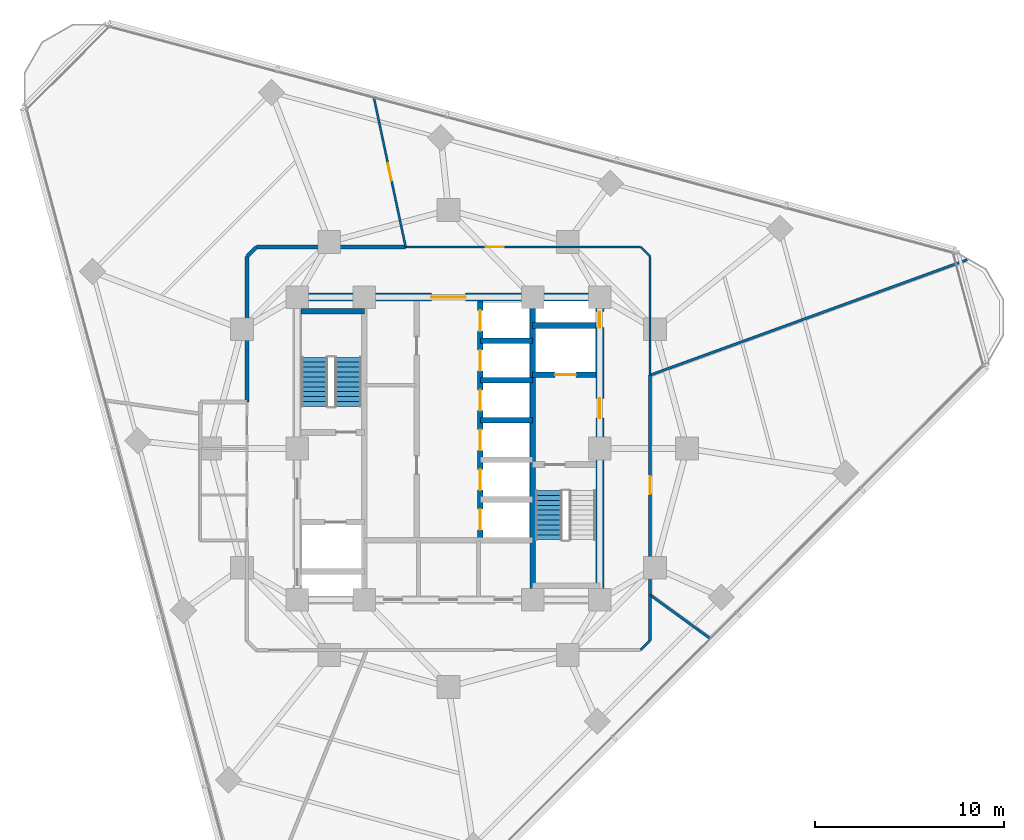
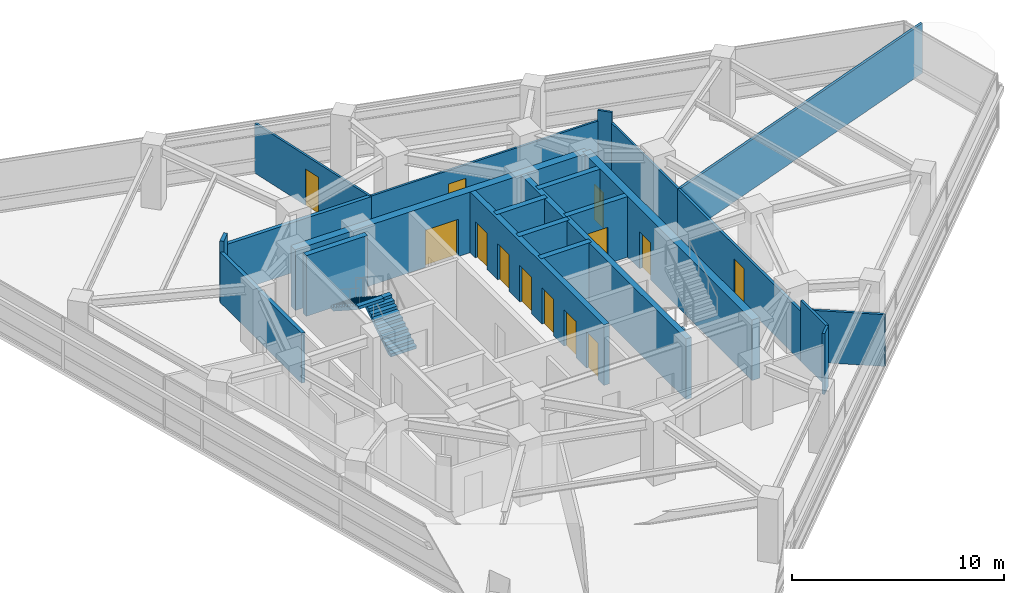
# One storey, part 8 of 13: 22 walls, 13 doors, 3 stair flights, 13 openings, 2 elements without a shape of their own.
"""IFC4 building model written with IfcOpenShell, lengths in metres."""

from ifc_helpers import new_model, si_unit, direction, frame, frame_2d, origin, place, context, subcontext, project, spatial, polyline, rectangle, outline, extrude, material, layer, layer_set, type_object, element, fill, aggregate, save


model = new_model("IFC4")

# Units and contexts
model_context = context("Model", 3, precision=1e-05, world=origin(), true_north=direction((0.0, 1.0)))
body_context = subcontext(model_context, "Body", "Model", "MODEL_VIEW")
ifc_project = project(units=[si_unit("LENGTHUNIT", "METRE"), si_unit("AREAUNIT", "SQUARE_METRE"), si_unit("VOLUMEUNIT", "CUBIC_METRE"), si_unit("PLANEANGLEUNIT", "RADIAN"), si_unit("MASSUNIT", "GRAM", prefix="KILO")], contexts=[model_context])

# Site, building, storey
site_placement = place(None, origin())
site = spatial("IfcSite", under=ifc_project, at=site_placement, CompositionType="ELEMENT")
building_placement = place(site_placement, origin())
building = spatial("IfcBuilding", under=site, at=building_placement, Name="Terralouvre Media Tower", CompositionType="ELEMENT")
storey_placement = place(building_placement, frame((0.0, 0.0, 202.699951171875)))
storey = spatial("IfcBuildingStorey", under=building, at=storey_placement, Name="L52", CompositionType="ELEMENT", Elevation=202.699951171875)

# Walls
ifc_material_1 = material(Name="Concrete C50/60", Category="concrete")
ifc_layer_1 = layer(ifc_material_1, 0.300048828125, Name="Core Internal Shaft Wall CW-300")
ifc_layer_set_1 = layer_set([ifc_layer_1], Name="Concrete C50/60")
wall_type_1 = type_object("IfcWallType", Name="Core Internal Shaft Wall CW-300", PredefinedType="SHEAR", material=ifc_layer_set_1)
wall_1_placement = place(storey_placement, frame((4.449951171875, -7.7900390625, 0.0), z_axis=(0.0, 0.0, 1.0), x_axis=(0.0, 1.0, 0.0)))
element("IfcWall", 1, at=wall_1_placement, inside=storey, type_object=wall_type_1, Name="L52 Core Shaft Wall SPE", PredefinedType="SHEAR", context=body_context, shape_type="SweptSolid", body=[
    extrude(rectangle(XDim=15.580078125, YDim=0.300048828125, at=frame_2d((7.7900390625, 0.0))), origin(), (0.0, 0.0, 1.0), 3.5),
])
wall_2_placement = place(storey_placement, frame((-7.7900390625, 7.260009765625, 0.0), z_axis=(0.0, 0.0, 1.0), x_axis=(1.0, 0.0, 0.0)))
element("IfcWall", 2, at=wall_2_placement, inside=storey, type_object=wall_type_1, Name="L52 Core Shaft Wall ST1F", PredefinedType="SHEAR", context=body_context, shape_type="SweptSolid", body=[
    extrude(rectangle(XDim=3.340087890625, YDim=0.300048828125, at=frame_2d((1.669921875, 0.0))), origin(), (0.0, 0.0, 1.0), 3.5),
])

# Wall, opening, door
wall_3_placement = place(storey_placement, frame((4.449951171875, 3.89990234375, 0.0), z_axis=(0.0, 0.0, 1.0), x_axis=(1.0, 0.0, 0.0)))
wall_3 = element("IfcWall", 3, at=wall_3_placement, inside=storey, type_object=wall_type_1, Name="L52 Core Shaft Wall FF2S", PredefinedType="SHEAR", context=body_context, shape_type="SweptSolid", body=[
    extrude(rectangle(XDim=3.340087890625, YDim=0.300048828125, at=frame_2d((1.669921875, 0.0))), origin(), (0.0, 0.0, 1.0), 3.5),
])
opening_1_placement = place(wall_3_placement, frame((1.179931640625, 0.0, 0.0)))
opening_1 = element("IfcOpeningElement", 4, at=opening_1_placement, cuts=wall_3, Name="Opening LD-FF", PredefinedType="OPENING", context=body_context, shape_type="SweptSolid", body=[
    extrude(rectangle(XDim=1.10009765625, YDim=2.10009765625, at=frame_2d((0.550048828125, 1.050048828125))), frame((0.0, 0.159912109375, 0.0), z_axis=(0.0, -1.0, 0.0), x_axis=(1.0, 0.0, 0.0)), (0.0, 0.0, 1.0), 0.320068359375),
])
ifc_material_2 = material(Name="Stainless steel 316 handrail and balustrade", Category="steel")
door_type_1 = type_object("IfcDoorType", Name="Firefighting Lift Sliding Landing Door LD-FF", OperationType="SLIDING_TO_LEFT", PredefinedType="DOOR", material=ifc_material_2)
door_1_placement = place(opening_1_placement, origin())
door_1 = element("IfcDoor", 5, at=door_1_placement, inside=storey, type_object=door_type_1, Name="L52 Firefighting Lift FFL-02 Landing Door", OperationType="SLIDING_TO_LEFT", OverallHeight=2.10009765625, OverallWidth=1.10009765625, PredefinedType="DOOR", context=body_context, shape_type="SweptSolid", body=[
    extrude(rectangle(XDim=1.10009765625, YDim=2.10009765625, at=frame_2d((0.550048828125, 1.050048828125))), frame((0.0, 0.02490234375, 0.0), z_axis=(0.0, -1.0, 0.0), x_axis=(1.0, 0.0, 0.0)), (0.0, 0.0, 1.0), 0.050048828125),
])
fill(opening_1, door_1)

# Wall
wall_4_placement = place(storey_placement, frame((4.449951171875, 6.5, 0.0), z_axis=(0.0, 0.0, 1.0), x_axis=(1.0, 0.0, 0.0)))
element("IfcWall", 6, at=wall_4_placement, inside=storey, type_object=wall_type_1, Name="L52 Core Shaft Wall FF2N", PredefinedType="SHEAR", context=body_context, shape_type="SweptSolid", body=[
    extrude(rectangle(XDim=3.340087890625, YDim=0.300048828125, at=frame_2d((1.669921875, 0.0))), origin(), (0.0, 0.0, 1.0), 3.5),
])

# Wall, openings, doors
wall_5_placement = place(storey_placement, frame((1.679931640625, -4.85009765625, 0.0), z_axis=(0.0, 0.0, 1.0), x_axis=(0.0, 1.0, 0.0)))
wall_5 = element("IfcWall", 7, at=wall_5_placement, inside=storey, type_object=wall_type_1, Name="L52 Core Shaft Wall LBE", PredefinedType="SHEAR", context=body_context, shape_type="SweptSolid", body=[
    extrude(rectangle(XDim=12.64013671875, YDim=0.300048828125, at=frame_2d((6.320068359375, 0.0))), origin(), (0.0, 0.0, 1.0), 3.5),
])
opening_2_placement = place(wall_5_placement, frame((0.550048828125, 0.0, 0.0)))
opening_2 = element("IfcOpeningElement", 8, at=opening_2_placement, cuts=wall_5, Name="Opening LD-PL", PredefinedType="OPENING", context=body_context, shape_type="SweptSolid", body=[
    extrude(rectangle(XDim=1.10009765625, YDim=2.10009765625, at=frame_2d((0.550048828125, 1.050048828125))), frame((0.0, 0.159912109375, 0.0), z_axis=(0.0, -1.0, 0.0), x_axis=(1.0, 0.0, 0.0)), (0.0, 0.0, 1.0), 0.320068359375),
])
opening_3_placement = place(wall_5_placement, frame((2.64990234375, 0.0, 0.0)))
opening_3 = element("IfcOpeningElement", 9, at=opening_3_placement, cuts=wall_5, Name="Opening LD-PL", PredefinedType="OPENING", context=body_context, shape_type="SweptSolid", body=[
    extrude(rectangle(XDim=1.10009765625, YDim=2.10009765625, at=frame_2d((0.550048828125, 1.050048828125))), frame((0.0, 0.159912109375, 0.0), z_axis=(0.0, -1.0, 0.0), x_axis=(1.0, 0.0, 0.0)), (0.0, 0.0, 1.0), 0.320068359375),
])
opening_4_placement = place(wall_5_placement, frame((4.75, 0.0, 0.0)))
opening_4 = element("IfcOpeningElement", 10, at=opening_4_placement, cuts=wall_5, Name="Opening LD-PL", PredefinedType="OPENING", context=body_context, shape_type="SweptSolid", body=[
    extrude(rectangle(XDim=1.10009765625, YDim=2.10009765625, at=frame_2d((0.550048828125, 1.050048828125))), frame((0.0, 0.159912109375, 0.0), z_axis=(0.0, -1.0, 0.0), x_axis=(1.0, 0.0, 0.0)), (0.0, 0.0, 1.0), 0.320068359375),
])
opening_5_placement = place(wall_5_placement, frame((6.85009765625, 0.0, 0.0)))
opening_5 = element("IfcOpeningElement", 11, at=opening_5_placement, cuts=wall_5, Name="Opening LD-PL", PredefinedType="OPENING", context=body_context, shape_type="SweptSolid", body=[
    extrude(rectangle(XDim=1.10009765625, YDim=2.10009765625, at=frame_2d((0.550048828125, 1.050048828125))), frame((0.0, 0.159912109375, 0.0), z_axis=(0.0, -1.0, 0.0), x_axis=(1.0, 0.0, 0.0)), (0.0, 0.0, 1.0), 0.320068359375),
])
opening_6_placement = place(wall_5_placement, frame((8.949951171875, 0.0, 0.0)))
opening_6 = element("IfcOpeningElement", 12, at=opening_6_placement, cuts=wall_5, Name="Opening LD-PL", PredefinedType="OPENING", context=body_context, shape_type="SweptSolid", body=[
    extrude(rectangle(XDim=1.10009765625, YDim=2.10009765625, at=frame_2d((0.550048828125, 1.050048828125))), frame((0.0, 0.159912109375, 0.0), z_axis=(0.0, -1.0, 0.0), x_axis=(1.0, 0.0, 0.0)), (0.0, 0.0, 1.0), 0.320068359375),
])
opening_7_placement = place(wall_5_placement, frame((11.050048828125, 0.0, 0.0)))
opening_7 = element("IfcOpeningElement", 13, at=opening_7_placement, cuts=wall_5, Name="Opening LD-PL", PredefinedType="OPENING", context=body_context, shape_type="SweptSolid", body=[
    extrude(rectangle(XDim=1.10009765625, YDim=2.10009765625, at=frame_2d((0.550048828125, 1.050048828125))), frame((0.0, 0.159912109375, 0.0), z_axis=(0.0, -1.0, 0.0), x_axis=(1.0, 0.0, 0.0)), (0.0, 0.0, 1.0), 0.320068359375),
])
ifc_material_3 = material(Name="Stainless steel 316 handrail and balustrade", Category="steel")
door_type_2 = type_object("IfcDoorType", Name="Passenger Lift Sliding Landing Door LD-PL", OperationType="SLIDING_TO_LEFT", PredefinedType="DOOR", material=ifc_material_3)
door_2_placement = place(opening_2_placement, origin())
door_2 = element("IfcDoor", 14, at=door_2_placement, inside=storey, type_object=door_type_2, Name="L52 High-Rise Lift PL-H1 Landing Door", OperationType="SLIDING_TO_LEFT", OverallHeight=2.10009765625, OverallWidth=1.10009765625, PredefinedType="DOOR", context=body_context, shape_type="SweptSolid", body=[
    extrude(rectangle(XDim=1.10009765625, YDim=2.10009765625, at=frame_2d((0.550048828125, 1.050048828125))), frame((0.0, 0.02490234375, 0.0), z_axis=(0.0, -1.0, 0.0), x_axis=(1.0, 0.0, 0.0)), (0.0, 0.0, 1.0), 0.050048828125),
])
fill(opening_2, door_2)
door_3_placement = place(opening_3_placement, origin())
door_3 = element("IfcDoor", 15, at=door_3_placement, inside=storey, type_object=door_type_2, Name="L52 High-Rise Lift PL-H2 Landing Door", OperationType="SLIDING_TO_LEFT", OverallHeight=2.10009765625, OverallWidth=1.10009765625, PredefinedType="DOOR", context=body_context, shape_type="SweptSolid", body=[
    extrude(rectangle(XDim=1.10009765625, YDim=2.10009765625, at=frame_2d((0.550048828125, 1.050048828125))), frame((0.0, 0.02490234375, 0.0), z_axis=(0.0, -1.0, 0.0), x_axis=(1.0, 0.0, 0.0)), (0.0, 0.0, 1.0), 0.050048828125),
])
fill(opening_3, door_3)
door_4_placement = place(opening_4_placement, origin())
door_4 = element("IfcDoor", 16, at=door_4_placement, inside=storey, type_object=door_type_2, Name="L52 High-Rise Lift PL-H3 Landing Door", OperationType="SLIDING_TO_LEFT", OverallHeight=2.10009765625, OverallWidth=1.10009765625, PredefinedType="DOOR", context=body_context, shape_type="SweptSolid", body=[
    extrude(rectangle(XDim=1.10009765625, YDim=2.10009765625, at=frame_2d((0.550048828125, 1.050048828125))), frame((0.0, 0.02490234375, 0.0), z_axis=(0.0, -1.0, 0.0), x_axis=(1.0, 0.0, 0.0)), (0.0, 0.0, 1.0), 0.050048828125),
])
fill(opening_4, door_4)
door_5_placement = place(opening_5_placement, origin())
door_5 = element("IfcDoor", 17, at=door_5_placement, inside=storey, type_object=door_type_2, Name="L52 Mid-Rise Lift PL-M1 Landing Door", OperationType="SLIDING_TO_LEFT", OverallHeight=2.10009765625, OverallWidth=1.10009765625, PredefinedType="DOOR", context=body_context, shape_type="SweptSolid", body=[
    extrude(rectangle(XDim=1.10009765625, YDim=2.10009765625, at=frame_2d((0.550048828125, 1.050048828125))), frame((0.0, 0.02490234375, 0.0), z_axis=(0.0, -1.0, 0.0), x_axis=(1.0, 0.0, 0.0)), (0.0, 0.0, 1.0), 0.050048828125),
])
fill(opening_5, door_5)
door_6_placement = place(opening_6_placement, origin())
door_6 = element("IfcDoor", 18, at=door_6_placement, inside=storey, type_object=door_type_2, Name="L52 Mid-Rise Lift PL-M2 Landing Door", OperationType="SLIDING_TO_LEFT", OverallHeight=2.10009765625, OverallWidth=1.10009765625, PredefinedType="DOOR", context=body_context, shape_type="SweptSolid", body=[
    extrude(rectangle(XDim=1.10009765625, YDim=2.10009765625, at=frame_2d((0.550048828125, 1.050048828125))), frame((0.0, 0.02490234375, 0.0), z_axis=(0.0, -1.0, 0.0), x_axis=(1.0, 0.0, 0.0)), (0.0, 0.0, 1.0), 0.050048828125),
])
fill(opening_6, door_6)
door_7_placement = place(opening_7_placement, origin())
door_7 = element("IfcDoor", 19, at=door_7_placement, inside=storey, type_object=door_type_2, Name="L52 Mid-Rise Lift PL-M3 Landing Door", OperationType="SLIDING_TO_LEFT", OverallHeight=2.10009765625, OverallWidth=1.10009765625, PredefinedType="DOOR", context=body_context, shape_type="SweptSolid", body=[
    extrude(rectangle(XDim=1.10009765625, YDim=2.10009765625, at=frame_2d((0.550048828125, 1.050048828125))), frame((0.0, 0.02490234375, 0.0), z_axis=(0.0, -1.0, 0.0), x_axis=(1.0, 0.0, 0.0)), (0.0, 0.0, 1.0), 0.050048828125),
])
fill(opening_7, door_7)

# Walls
for number, where, z_axis, x_axis, name in (
    (20, (1.679931640625, 1.5, 0.0), (0.0, 0.0, 1.0), (1.0, 0.0, 0.0), "L52 Core Shaft Wall PLMD0"),
    (21, (1.679931640625, 3.60009765625, 0.0), (0.0, 0.0, 1.0), (1.0, 0.0, 0.0), "L52 Core Shaft Wall PLMD1"),
    (22, (1.679931640625, 5.699951171875, 0.0), (0.0, 0.0, 1.0), (1.0, 0.0, 0.0), "L52 Core Shaft Wall PLMD2"),
):
    element("IfcWall", number, at=place(storey_placement, frame(where, z_axis=z_axis, x_axis=x_axis)), inside=storey, type_object=wall_type_1, Name=name, PredefinedType="SHEAR", context=body_context, shape_type="SweptSolid", body=[
        extrude(rectangle(XDim=2.77001953125, YDim=0.300048828125, at=frame_2d((1.385009765625, 0.0))), origin(), (0.0, 0.0, 1.0), 3.5),
    ])

# Wall, openings, doors
ifc_material_4 = material(Name="Concrete C60/75", Category="concrete")
ifc_layer_2 = layer(ifc_material_4, 0.419921875, Name="Core Reinforced Concrete Shear Wall CW-420")
ifc_layer_set_2 = layer_set([ifc_layer_2], Name="Concrete C60/75")
wall_type_2 = type_object("IfcWallType", Name="Core Reinforced Concrete Shear Wall CW-420", PredefinedType="SHEAR", material=ifc_layer_set_2)
wall_6_placement = place(storey_placement, frame((8.0, -8.0, 0.0), z_axis=(0.0, 0.0, 1.0), x_axis=(0.0, 1.0, 0.0)))
wall_6 = element("IfcWall", 23, at=wall_6_placement, inside=storey, type_object=wall_type_2, Name="L52 E Core Shear Wall", PredefinedType="SHEAR", context=body_context, shape_type="SweptSolid", body=[
    extrude(rectangle(XDim=16.0, YDim=0.419921875, at=frame_2d((8.0, 0.0))), origin(), (0.0, 0.0, 1.0), 3.5),
])
opening_8_placement = place(wall_6_placement, frame((9.60009765625, 0.0, 0.0)))
opening_8 = element("IfcOpeningElement", 24, at=opening_8_placement, cuts=wall_6, Name="Opening FD-01-105X215", PredefinedType="OPENING", context=body_context, shape_type="SweptSolid", body=[
    extrude(rectangle(XDim=1.050048828125, YDim=2.14990234375, at=frame_2d((0.52490234375, 1.074951171875))), frame((0.0, 0.219970703125, 0.0), z_axis=(0.0, -1.0, 0.0), x_axis=(1.0, 0.0, 0.0)), (0.0, 0.0, 1.0), 0.43994140625),
])
opening_9_placement = place(wall_6_placement, frame((14.388671875, 0.0, 0.0)))
opening_9 = element("IfcOpeningElement", 25, at=opening_9_placement, cuts=wall_6, Name="Opening TD-R1", PredefinedType="OPENING", context=body_context, shape_type="SweptSolid", body=[
    extrude(rectangle(XDim=0.85009765625, YDim=2.02001953125, at=frame_2d((0.425048828125, 1.010009765625))), frame((0.0, 0.219970703125, 0.0), z_axis=(0.0, -1.0, 0.0), x_axis=(1.0, 0.0, 0.0)), (0.0, 0.0, 1.0), 0.43994140625),
])
ifc_material_5 = material(Name="Galvanised steel fire-resisting leaf", Category="steel")
door_type_3 = type_object("IfcDoorType", Name="Riser Inspection Access Trapdoor TD-R1", OperationType="NOTDEFINED", PredefinedType="TRAPDOOR", material=ifc_material_5)
door_8_placement = place(opening_9_placement, origin())
door_8 = element("IfcDoor", 26, at=door_8_placement, inside=storey, type_object=door_type_3, Name="L52 East Comms Riser Access Trapdoor", OperationType="SINGLE_SWING_RIGHT", OverallHeight=2.02001953125, OverallWidth=0.85009765625, PredefinedType="TRAPDOOR", context=body_context, shape_type="SweptSolid", body=[
    extrude(rectangle(XDim=0.85009765625, YDim=2.02001953125, at=frame_2d((0.425048828125, 1.010009765625))), frame((0.0, 0.02490234375, 0.0), z_axis=(0.0, -1.0, 0.0), x_axis=(1.0, 0.0, 0.0)), (0.0, 0.0, 1.0), 0.050048828125),
])
fill(opening_9, door_8)
ifc_material_6 = material(Name="Galvanised steel fire-resisting leaf", Category="steel")
door_type_4 = type_object("IfcDoorType", Name="Stair and Firefighting Lobby Fire Door FD-01 (1050x2150)", OperationType="NOTDEFINED", PredefinedType="DOOR", material=ifc_material_6)
door_9_placement = place(opening_8_placement, origin())
door_9 = element("IfcDoor", 27, at=door_9_placement, inside=storey, type_object=door_type_4, Name="L52 East Firefighting Lobby Entry Door", OperationType="SINGLE_SWING_LEFT", OverallHeight=2.14990234375, OverallWidth=1.050048828125, PredefinedType="DOOR", context=body_context, shape_type="SweptSolid", body=[
    extrude(rectangle(XDim=1.050048828125, YDim=2.14990234375, at=frame_2d((0.52490234375, 1.074951171875))), frame((0.0, 0.02490234375, 0.0), z_axis=(0.0, -1.0, 0.0), x_axis=(1.0, 0.0, 0.0)), (0.0, 0.0, 1.0), 0.050048828125),
])
fill(opening_8, door_9)

# Wall, opening, door
wall_7_placement = place(storey_placement, frame((-8.0, 8.0, 0.0), z_axis=(0.0, 0.0, 1.0), x_axis=(1.0, 0.0, 0.0)))
wall_7 = element("IfcWall", 28, at=wall_7_placement, inside=storey, type_object=wall_type_2, Name="L52 N Core Shear Wall", PredefinedType="SHEAR", context=body_context, shape_type="SweptSolid", body=[
    extrude(rectangle(XDim=16.0, YDim=0.419921875, at=frame_2d((8.0, 0.0))), origin(), (0.0, 0.0, 1.0), 3.5),
])
opening_10_placement = place(wall_7_placement, frame((7.10009765625, 0.0, 0.0)))
opening_10 = element("IfcOpeningElement", 29, at=opening_10_placement, cuts=wall_7, Name="Opening FD-03", PredefinedType="OPENING", context=body_context, shape_type="SweptSolid", body=[
    extrude(rectangle(XDim=1.800048828125, YDim=2.14990234375, at=frame_2d((0.89990234375, 1.074951171875))), frame((0.0, 0.219970703125, 0.0), z_axis=(0.0, -1.0, 0.0), x_axis=(1.0, 0.0, 0.0)), (0.0, 0.0, 1.0), 0.43994140625),
])
ifc_material_7 = material(Name="Galvanised steel fire-resisting leaf", Category="steel")
door_type_5 = type_object("IfcDoorType", Name="Corridor Smoke-Control Double Door FD-03", OperationType="DOUBLE_DOOR_SINGLE_SWING", PredefinedType="DOOR", material=ifc_material_7)
door_10_placement = place(opening_10_placement, origin())
door_10 = element("IfcDoor", 30, at=door_10_placement, inside=storey, type_object=door_type_5, Name="L52 Central Lift Lobby Portal Door", OperationType="DOUBLE_DOOR_SINGLE_SWING", OverallHeight=2.14990234375, OverallWidth=1.800048828125, PredefinedType="DOOR", context=body_context, shape_type="SweptSolid", body=[
    extrude(rectangle(XDim=1.800048828125, YDim=2.14990234375, at=frame_2d((0.89990234375, 1.074951171875))), frame((0.0, 0.02490234375, 0.0), z_axis=(0.0, -1.0, 0.0), x_axis=(1.0, 0.0, 0.0)), (0.0, 0.0, 1.0), 0.050048828125),
])
fill(opening_10, door_10)

# Walls
ifc_material_8 = material(Name="Fire-rated gypsum board drywall partition")
ifc_layer_3 = layer(ifc_material_8, 0.199951171875, Name="Fire-Rated Shaft and Lobby Partition FW-200")
ifc_layer_set_3 = layer_set([ifc_layer_3], Name="Fire-rated gypsum board drywall partition")
wall_type_3 = type_object("IfcWallType", Name="Fire-Rated Shaft and Lobby Partition FW-200", PredefinedType="SOLIDWALL", material=ifc_layer_set_3)
wall_8_placement = place(storey_placement, frame((-2.263916015625, 10.64990234375, 0.0), z_axis=(0.0, 0.0, 1.0), x_axis=(-1.0, 0.0, 0.0)))
element("IfcWall", 31, at=wall_8_placement, inside=storey, type_object=wall_type_3, Name="L52 Interior Partition 013", PredefinedType="SOLIDWALL", context=body_context, shape_type="SweptSolid", body=[
    extrude(rectangle(XDim=7.885986328125, YDim=0.199951171875, at=frame_2d((3.94287109375, 0.0))), origin(), (0.0, 0.0, 1.0), 2.885009765625),
])
wall_9_placement = place(storey_placement, frame((-10.14990234375, 10.64990234375, 0.0), z_axis=(0.0, 0.0, 1.0), x_axis=(-0.707106781187, -0.707106781187, 0.0)))
element("IfcWall", 32, at=wall_9_placement, inside=storey, type_object=wall_type_3, Name="L52 Interior Partition 014", PredefinedType="SOLIDWALL", context=body_context, shape_type="SweptSolid", body=[
    extrude(rectangle(XDim=0.70703125, YDim=0.199951171875, at=frame_2d((0.353515625, 0.0))), origin(), (0.0, 0.0, 1.0), 3.5),
])
wall_10_placement = place(storey_placement, frame((-10.64990234375, 10.14990234375, 0.0), z_axis=(0.0, 0.0, 1.0), x_axis=(0.0, -1.0, 0.0)))
element("IfcWall", 33, at=wall_10_placement, inside=storey, type_object=wall_type_3, Name="L52 Interior Partition 015", PredefinedType="SOLIDWALL", context=body_context, shape_type="SweptSolid", body=[
    extrude(rectangle(XDim=7.699951171875, YDim=0.199951171875, at=frame_2d((3.85009765625, 0.0))), origin(), (0.0, 0.0, 1.0), 2.885009765625),
])
ifc_material_9 = material(Name="Fire-rated gypsum board drywall partition")
ifc_layer_4 = layer(ifc_material_9, 0.135009765625, Name="Newsroom Acoustic Partition PT-135")
ifc_layer_set_4 = layer_set([ifc_layer_4], Name="Fire-rated gypsum board drywall partition")
wall_type_4 = type_object("IfcWallType", Name="Newsroom Acoustic Partition PT-135", PredefinedType="PARTITIONING", material=ifc_layer_set_4)
wall_11_placement = place(storey_placement, frame((10.14990234375, -10.64990234375, 0.0), z_axis=(0.0, 0.0, 1.0), x_axis=(0.707106781187, 0.707106781187, 0.0)))
element("IfcWall", 34, at=wall_11_placement, inside=storey, type_object=wall_type_4, Name="L52 Interior Partition 007", PredefinedType="PARTITIONING", context=body_context, shape_type="SweptSolid", body=[
    extrude(rectangle(XDim=0.70703125, YDim=0.135009765625, at=frame_2d((0.353515625, 0.0))), origin(), (0.0, 0.0, 1.0), 3.5),
])
wall_12_placement = place(storey_placement, frame((10.64990234375, -10.14990234375, 0.0), z_axis=(0.0, 0.0, 1.0), x_axis=(0.0, 1.0, 0.0)))
element("IfcWall", 35, at=wall_12_placement, inside=storey, type_object=wall_type_4, Name="L52 Interior Partition 008", PredefinedType="PARTITIONING", context=body_context, shape_type="SweptSolid", body=[
    extrude(rectangle(XDim=2.411865234375, YDim=0.135009765625, at=frame_2d((1.2060546875, 0.0))), origin(), (0.0, 0.0, 1.0), 3.5),
])

# Wall, opening, door
wall_13_placement = place(storey_placement, frame((10.64990234375, -7.738037109375, 0.0), z_axis=(0.0, 0.0, 1.0), x_axis=(0.0, 1.0, 0.0)))
wall_13 = element("IfcWall", 36, at=wall_13_placement, inside=storey, type_object=wall_type_4, Name="L52 Interior Partition 009", PredefinedType="PARTITIONING", context=body_context, shape_type="SweptSolid", body=[
    extrude(rectangle(XDim=11.614013671875, YDim=0.135009765625, at=frame_2d((5.80712890625, 0.0))), origin(), (0.0, 0.0, 1.0), 2.885009765625),
])
opening_11_placement = place(wall_13_placement, frame((5.33203125, 0.0, 0.0)))
opening_11 = element("IfcOpeningElement", 37, at=opening_11_placement, cuts=wall_13, Name="Opening ID-02-95X210", PredefinedType="OPENING", context=body_context, shape_type="SweptSolid", body=[
    extrude(rectangle(XDim=0.949951171875, YDim=2.10009765625, at=frame_2d((0.47509765625, 1.050048828125))), frame((0.0, 0.077392578125, 0.0), z_axis=(0.0, -1.0, 0.0), x_axis=(1.0, 0.0, 0.0)), (0.0, 0.0, 1.0), 0.155029296875),
])
ifc_material_10 = material(Name="Engineered hardwood acoustic timber leaf", Category="wood")
door_type_6 = type_object("IfcDoorType", Name="Office and Meeting Room Door ID-02 (950x2100)", OperationType="NOTDEFINED", PredefinedType="DOOR", material=ifc_material_10)
door_11_placement = place(opening_11_placement, origin())
door_11 = element("IfcDoor", 38, at=door_11_placement, inside=storey, type_object=door_type_6, Name="L52 Foreign Press Reading Study 3 Door", OperationType="SINGLE_SWING_RIGHT", OverallHeight=2.10009765625, OverallWidth=0.949951171875, PredefinedType="DOOR", context=body_context, shape_type="SweptSolid", body=[
    extrude(rectangle(XDim=0.949951171875, YDim=2.10009765625, at=frame_2d((0.47509765625, 1.050048828125))), frame((0.0, 0.02490234375, 0.0), z_axis=(0.0, -1.0, 0.0), x_axis=(1.0, 0.0, 0.0)), (0.0, 0.0, 1.0), 0.050048828125),
])
fill(opening_11, door_11)

# Walls
wall_14_placement = place(storey_placement, frame((13.86181640625, -10.07080078125, 0.0), z_axis=(0.0, 0.0, 1.0), x_axis=(-0.80911622839, 0.587648644137, 0.0)))
element("IfcWall", 39, at=wall_14_placement, inside=storey, type_object=wall_type_4, Name="L52 Interior Partition 025", PredefinedType="PARTITIONING", context=body_context, shape_type="SweptSolid", body=[
    extrude(rectangle(XDim=3.9697265625, YDim=0.135009765625, at=frame_2d((1.98486328125, 0.0))), origin(), (0.0, 0.0, 1.0), 2.985107421875),
])
wall_15_placement = place(storey_placement, frame((27.40771484375, 9.9755859375, 0.0), z_axis=(0.0, 0.0, 1.0), x_axis=(-0.939687855064, -0.342033236756, 0.0)))
element("IfcWall", 40, at=wall_15_placement, inside=storey, type_object=wall_type_4, Name="L52 Interior Partition 026", PredefinedType="PARTITIONING", context=body_context, shape_type="SweptSolid", body=[
    extrude(rectangle(XDim=17.83349609375, YDim=0.135009765625, at=frame_2d((8.916748046875, 0.0))), origin(), (0.0, 0.0, 1.0), 2.885009765625),
])
ifc_material_11 = material(Name="Fire-rated gypsum board drywall partition")
ifc_layer_5 = layer(ifc_material_11, 0.114990234375, Name="Restroom and Pantry Partition PT-115")
ifc_layer_set_5 = layer_set([ifc_layer_5], Name="Fire-rated gypsum board drywall partition")
wall_type_5 = type_object("IfcWallType", Name="Restroom and Pantry Partition PT-115", PredefinedType="PARTITIONING", material=ifc_layer_set_5)
wall_16_placement = place(storey_placement, frame((10.64990234375, 3.8759765625, 0.0), z_axis=(0.0, 0.0, 1.0), x_axis=(0.0, 1.0, 0.0)))
element("IfcWall", 41, at=wall_16_placement, inside=storey, type_object=wall_type_5, Name="L52 Interior Partition 010", PredefinedType="PARTITIONING", context=body_context, shape_type="SweptSolid", body=[
    extrude(rectangle(XDim=6.27392578125, YDim=0.114990234375, at=frame_2d((3.136962890625, 0.0))), origin(), (0.0, 0.0, 1.0), 2.885009765625),
])
wall_17_placement = place(storey_placement, frame((10.64990234375, 10.14990234375, 0.0), z_axis=(0.0, 0.0, 1.0), x_axis=(-0.707106781187, 0.707106781187, 0.0)))
element("IfcWall", 42, at=wall_17_placement, inside=storey, type_object=wall_type_5, Name="L52 Interior Partition 011", PredefinedType="PARTITIONING", context=body_context, shape_type="SweptSolid", body=[
    extrude(rectangle(XDim=0.70703125, YDim=0.114990234375, at=frame_2d((0.353515625, 0.0))), origin(), (0.0, 0.0, 1.0), 3.5),
])

# Wall, opening, door
wall_18_placement = place(storey_placement, frame((10.14990234375, 10.64990234375, 0.0), z_axis=(0.0, 0.0, 1.0), x_axis=(-1.0, 0.0, 0.0)))
wall_18 = element("IfcWall", 43, at=wall_18_placement, inside=storey, type_object=wall_type_5, Name="L52 Interior Partition 012", PredefinedType="PARTITIONING", context=body_context, shape_type="SweptSolid", body=[
    extrude(rectangle(XDim=12.413818359375, YDim=0.114990234375, at=frame_2d((6.20703125, 0.0))), origin(), (0.0, 0.0, 1.0), 2.885009765625),
])
opening_12_placement = place(wall_18_placement, frame((7.2216796875, 0.0, 0.0)))
opening_12 = element("IfcOpeningElement", 44, at=opening_12_placement, cuts=wall_18, Name="Opening SD-01-95X210", PredefinedType="OPENING", context=body_context, shape_type="SweptSolid", body=[
    extrude(rectangle(XDim=0.949951171875, YDim=2.10009765625, at=frame_2d((0.47509765625, 1.050048828125))), frame((0.0, 0.0673828125, 0.0), z_axis=(0.0, -1.0, 0.0), x_axis=(1.0, 0.0, 0.0)), (0.0, 0.0, 1.0), 0.135009765625),
])
ifc_material_12 = material(Name="Anodised extruded aluminium 6063-T6", Category="aluminium")
door_type_7 = type_object("IfcDoorType", Name="Pantry Pocket Sliding Door SD-01 (950x2100)", OperationType="SLIDING_TO_LEFT", PredefinedType="DOOR", material=ifc_material_12)
door_12_placement = place(opening_12_placement, origin())
door_12 = element("IfcDoor", 45, at=door_12_placement, inside=storey, type_object=door_type_7, Name="L52 International Tea Servery 4 Door", OperationType="SLIDING_TO_LEFT", OverallHeight=2.10009765625, OverallWidth=0.949951171875, PredefinedType="DOOR", context=body_context, shape_type="SweptSolid", body=[
    extrude(rectangle(XDim=0.949951171875, YDim=2.10009765625, at=frame_2d((0.47509765625, 1.050048828125))), frame((0.0, 0.02490234375, 0.0), z_axis=(0.0, -1.0, 0.0), x_axis=(1.0, 0.0, 0.0)), (0.0, 0.0, 1.0), 0.050048828125),
])
fill(opening_12, door_12)

wall_19_placement = place(storey_placement, frame((-3.949462890625, 18.578125, 0.0), z_axis=(0.0, 0.0, 1.0), x_axis=(0.20795313807, -0.978138789931, 0.0)))
wall_19 = element("IfcWall", 46, at=wall_19_placement, inside=storey, type_object=wall_type_5, Name="L52 Interior Partition 027", PredefinedType="PARTITIONING", context=body_context, shape_type="SweptSolid", body=[
    extrude(rectangle(XDim=8.10546875, YDim=0.114990234375, at=frame_2d((4.052734375, 0.0))), origin(), (0.0, 0.0, 1.0), 2.885009765625),
])
opening_13_placement = place(wall_19_placement, frame((3.5927734375, 0.0, 0.0)))
opening_13 = element("IfcOpeningElement", 47, at=opening_13_placement, cuts=wall_19, Name="Opening FD-05-92X210", PredefinedType="OPENING", context=body_context, shape_type="SweptSolid", body=[
    extrude(rectangle(XDim=0.919921875, YDim=2.10009765625, at=frame_2d((0.4599609375, 1.050048828125))), frame((0.0, 0.0673828125, 0.0), z_axis=(0.0, -1.0, 0.0), x_axis=(1.0, 0.0, 0.0)), (0.0, 0.0, 1.0), 0.135009765625),
])
ifc_material_13 = material(Name="Galvanised steel fire-resisting leaf", Category="steel")
door_type_8 = type_object("IfcDoorType", Name="Core Accessible Closet Fire Door FD-05 (920x2100)", OperationType="NOTDEFINED", PredefinedType="DOOR", material=ifc_material_13)
door_13_placement = place(opening_13_placement, origin())
door_13 = element("IfcDoor", 48, at=door_13_placement, inside=storey, type_object=door_type_8, Name="L52 Satellite Downlink Server Room 5 Door", OperationType="SINGLE_SWING_LEFT", OverallHeight=2.10009765625, OverallWidth=0.919921875, PredefinedType="DOOR", context=body_context, shape_type="SweptSolid", body=[
    extrude(rectangle(XDim=0.919921875, YDim=2.10009765625, at=frame_2d((0.4599609375, 1.050048828125))), frame((0.0, 0.02490234375, 0.0), z_axis=(0.0, -1.0, 0.0), x_axis=(1.0, 0.0, 0.0)), (0.0, 0.0, 1.0), 0.050048828125),
])
fill(opening_13, door_13)

# Stair, stair flights
ifc_material_14 = material(Name="Concrete C45/55", Category="concrete")
stair_type_1 = type_object("IfcStairType", Name="Dogleg Stair Assembly ST-01", PredefinedType="HALF_TURN_STAIR", material=ifc_material_14)
stair_1_placement = place(storey_placement, origin())
stair_1 = element("IfcStair", 49, at=stair_1_placement, inside=storey, type_object=stair_type_1, Name="L52 Core Pressurised Exit Stair ST-01", PredefinedType="HALF_TURN_STAIR")
ifc_material_15 = material(Name="Concrete C45/55", Category="concrete")
stair_flight_type = type_object("IfcStairFlightType", Name="Reinforced Concrete Stair Flight SF-RC1", PredefinedType="STRAIGHT", material=ifc_material_15)
stair_flight_1_placement = place(storey_placement, frame((-5.300048828125, 2.219970703125, 0.0), z_axis=(0.0, 0.0, 1.0), x_axis=(0.0, 1.0, 0.0)))
stair_flight_1 = element("IfcStairFlight", 50, at=stair_flight_1_placement, type_object=stair_flight_type, Name="ST-01 flight 1", NumberOfRisers=11, NumberOfTreads=10, PredefinedType="STRAIGHT", RiserHeight=0.168181818, TreadLength=0.26, context=body_context, shape_type="SweptSolid", body=[
    extrude(outline(polyline([(0.0, 0.0), (0.0, 0.168212890625), (0.260009765625, 0.168212890625), (0.260009765625, 0.33642578125), (0.52001953125, 0.33642578125), (0.52001953125, 0.504638671875), (0.780029296875, 0.504638671875), (0.780029296875, 0.672607421875), (1.0400390625, 0.672607421875), (1.0400390625, 0.8408203125), (1.300048828125, 0.8408203125), (1.300048828125, 1.009033203125), (1.56005859375, 1.009033203125), (1.56005859375, 1.17724609375), (1.820068359375, 1.17724609375), (1.820068359375, 1.345458984375), (2.080078125, 1.345458984375), (2.080078125, 1.513671875), (2.340087890625, 1.513671875), (2.340087890625, 1.681884765625), (2.60009765625, 1.681884765625), (2.60009765625, 1.85009765625), (2.60009765625, 1.503173828125), (0.27587890625, 0.0), (0.0, 0.0)])), frame((0.0, 0.699951171875, 0.0), z_axis=(0.0, -1.0, 0.0), x_axis=(1.0, 0.0, 0.0)), (0.0, 0.0, 1.0), 1.39990234375),
])
stair_flight_2_placement = place(storey_placement, frame((-7.080078125, 4.820068359375, 1.85009765625), z_axis=(0.0, 0.0, 1.0), x_axis=(0.0, -1.0, 0.0)))
stair_flight_2 = element("IfcStairFlight", 51, at=stair_flight_2_placement, type_object=stair_flight_type, Name="ST-01 flight 2", NumberOfRisers=11, NumberOfTreads=10, PredefinedType="STRAIGHT", RiserHeight=0.168181818, TreadLength=0.26, context=body_context, shape_type="SweptSolid", body=[
    extrude(outline(polyline([(0.0, 0.0), (0.0, 0.168212890625), (0.260009765625, 0.168212890625), (0.260009765625, 0.33642578125), (0.52001953125, 0.33642578125), (0.52001953125, 0.504638671875), (0.780029296875, 0.504638671875), (0.780029296875, 0.672607421875), (1.0400390625, 0.672607421875), (1.0400390625, 0.8408203125), (1.300048828125, 0.8408203125), (1.300048828125, 1.009033203125), (1.56005859375, 1.009033203125), (1.56005859375, 1.17724609375), (1.820068359375, 1.17724609375), (1.820068359375, 1.345458984375), (2.080078125, 1.345458984375), (2.080078125, 1.513671875), (2.340087890625, 1.513671875), (2.340087890625, 1.681884765625), (2.60009765625, 1.681884765625), (2.60009765625, 1.85009765625), (2.60009765625, 1.503173828125), (0.27587890625, 0.0), (0.0, 0.0)])), frame((0.0, 0.699951171875, 0.0), z_axis=(0.0, -1.0, 0.0), x_axis=(1.0, 0.0, 0.0)), (0.0, 0.0, 1.0), 1.39990234375),
])
aggregate(stair_1, [stair_flight_1, stair_flight_2])

# Stair, stair flight
ifc_material_16 = material(Name="Concrete C45/55", Category="concrete")
stair_type_2 = type_object("IfcStairType", Name="Dogleg Stair Assembly ST-02", PredefinedType="HALF_TURN_STAIR", material=ifc_material_16)
stair_2_placement = place(storey_placement, origin())
stair_2 = element("IfcStair", 52, at=stair_2_placement, inside=storey, type_object=stair_type_2, Name="L52 Core Pressurised Exit Stair ST-02", PredefinedType="HALF_TURN_STAIR")
stair_flight_3_placement = place(storey_placement, frame((5.300048828125, -2.219970703125, 0.0), z_axis=(0.0, 0.0, 1.0), x_axis=(0.0, -1.0, 0.0)))
stair_flight_3 = element("IfcStairFlight", 53, at=stair_flight_3_placement, type_object=stair_flight_type, Name="ST-02 flight 1", NumberOfRisers=11, NumberOfTreads=10, PredefinedType="STRAIGHT", RiserHeight=0.168181818, TreadLength=0.26, context=body_context, shape_type="SweptSolid", body=[
    extrude(outline(polyline([(0.0, 0.0), (0.0, 0.168212890625), (0.260009765625, 0.168212890625), (0.260009765625, 0.33642578125), (0.52001953125, 0.33642578125), (0.52001953125, 0.504638671875), (0.780029296875, 0.504638671875), (0.780029296875, 0.672607421875), (1.0400390625, 0.672607421875), (1.0400390625, 0.8408203125), (1.300048828125, 0.8408203125), (1.300048828125, 1.009033203125), (1.56005859375, 1.009033203125), (1.56005859375, 1.17724609375), (1.820068359375, 1.17724609375), (1.820068359375, 1.345458984375), (2.080078125, 1.345458984375), (2.080078125, 1.513671875), (2.340087890625, 1.513671875), (2.340087890625, 1.681884765625), (2.60009765625, 1.681884765625), (2.60009765625, 1.85009765625), (2.60009765625, 1.503173828125), (0.27587890625, 0.0), (0.0, 0.0)])), frame((0.0, 0.699951171875, 0.0), z_axis=(0.0, -1.0, 0.0), x_axis=(1.0, 0.0, 0.0)), (0.0, 0.0, 1.0), 1.39990234375),
])
aggregate(stair_2, [stair_flight_3])

save(model, "model.ifc")
